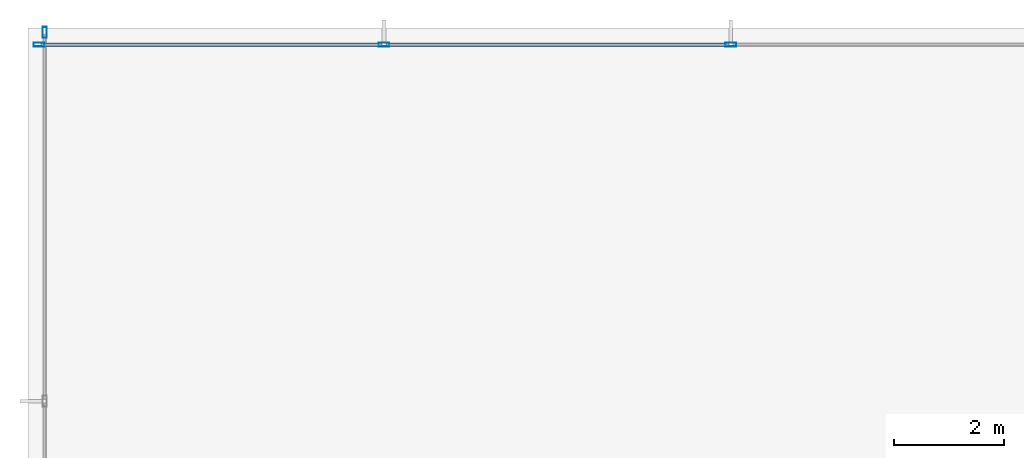
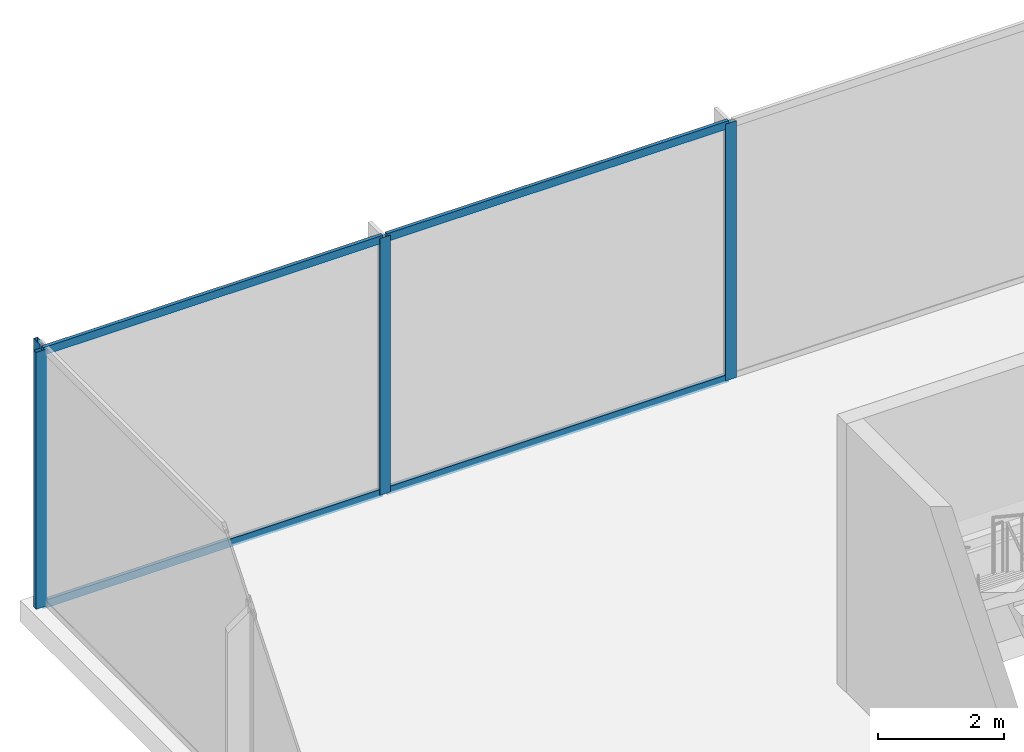
# One storey, part 24 of 43: 8 members, 2 elements without a shape of their own.
"""IFC4 building model written with IfcOpenShell, lengths in metres."""

from ifc_helpers import new_model, si_unit, direction, frame, origin, origin_2d, place, context, subcontext, project, spatial, hollow_rectangle, extrude, material, layer, layer_set, material_profile, profile_set, type_object, element, aggregate, save


model = new_model("IFC4")

# Units and contexts
model_context = context("Model", 3, precision=1e-05, world=origin(), true_north=direction((0.0, 1.0)))
body_context = subcontext(model_context, "Body", "Model", "MODEL_VIEW")
ifc_project = project(units=[si_unit("LENGTHUNIT", "METRE"), si_unit("AREAUNIT", "SQUARE_METRE"), si_unit("VOLUMEUNIT", "CUBIC_METRE"), si_unit("PLANEANGLEUNIT", "RADIAN"), si_unit("MASSUNIT", "GRAM", prefix="KILO")], contexts=[model_context])

# Site, building, storey
site_placement = place(None, origin())
site = spatial("IfcSite", under=ifc_project, at=site_placement, CompositionType="ELEMENT")
building_placement = place(site_placement, origin())
building = spatial("IfcBuilding", under=site, at=building_placement, Name="Orvanel Arch Residences", CompositionType="ELEMENT")
storey_placement = place(building_placement, frame((0.0, 0.0, 18.39990234375)))
storey = spatial("IfcBuildingStorey", under=building, at=storey_placement, Name="L04", CompositionType="ELEMENT", Elevation=18.39990234375)

# Curtain wall, members
ifc_material = material(Name="Bronze-anodised aluminium AA6063-T6", Category="aluminium")
ifc_layer = layer(ifc_material, 0.199951171875)
ifc_layer_set = layer_set([ifc_layer], Name="Bronze-anodised aluminium AA6063-T6")
curtain_wall_type = type_object("IfcCurtainWallType", Name="CW1-POD-SYS", PredefinedType="NOTDEFINED", material=ifc_layer_set)
curtain_wall_1_placement = place(storey_placement, origin())
curtain_wall_1 = element("IfcCurtainWall", 1, at=curtain_wall_1_placement, inside=storey, type_object=curtain_wall_type, Name="L04 CW1-POD-SYS Unitised Curtain Wall", PredefinedType="NOTDEFINED")
ifc_material_profile_1 = material_profile(ifc_material, hollow_rectangle(XDim=0.074951171875, YDim=0.199951171875, WallThickness=0.0048828125, at=origin_2d()), Name="ALU200x75x5")
ifc_profile_set_1 = profile_set([ifc_material_profile_1], Name="Bronze-anodised aluminium AA6063-T6")
member_type_1 = type_object("IfcMemberType", Name="MUL-200x75", PredefinedType="MULLION", material=ifc_profile_set_1)
member_1_placement = place(storey_placement, frame((14.0458984375, 54.25, 0.0), z_axis=(0.0, 0.0, 1.0), x_axis=(0.0, -1.0, 0.0)))
member_1 = element("IfcMember", 2, at=member_1_placement, type_object=member_type_1, Name="CW-S1 mullion 9", PredefinedType="MULLION", context=body_context, shape_type="SweptSolid", body=[
    extrude(hollow_rectangle(XDim=0.074951171875, YDim=0.199951171875, WallThickness=0.0048828125, at=origin_2d()), origin(), (0.0, 0.0, 1.0), 4.960205078125),
])
member_2_placement = place(storey_placement, frame((7.72802734375, 54.25, 0.0), z_axis=(0.0, 0.0, 1.0), x_axis=(0.0, -1.0, 0.0)))
member_2 = element("IfcMember", 3, at=member_2_placement, type_object=member_type_1, Name="CW-S1 mullion 10", PredefinedType="MULLION", context=body_context, shape_type="SweptSolid", body=[
    extrude(hollow_rectangle(XDim=0.074951171875, YDim=0.199951171875, WallThickness=0.0048828125, at=origin_2d()), origin(), (0.0, 0.0, 1.0), 4.960205078125),
])
member_3_placement = place(storey_placement, frame((1.447509765625, 54.25, 0.0), z_axis=(0.0, 0.0, 1.0), x_axis=(0.0, -1.0, 0.0)))
member_3 = element("IfcMember", 4, at=member_3_placement, type_object=member_type_1, Name="CW-S1 mullion 11", PredefinedType="MULLION", context=body_context, shape_type="SweptSolid", body=[
    extrude(hollow_rectangle(XDim=0.074951171875, YDim=0.199951171875, WallThickness=0.0048828125, at=origin_2d()), origin(), (0.0, 0.0, 1.0), 4.960205078125),
])

# Curtain wall, member
curtain_wall_2_placement = place(storey_placement, origin())
curtain_wall_2 = element("IfcCurtainWall", 5, at=curtain_wall_2_placement, inside=storey, type_object=curtain_wall_type, Name="L04 CW1-POD-SYS Unitised Curtain Wall", PredefinedType="NOTDEFINED")
member_4_placement = place(storey_placement, frame((1.550048828125, 54.472412109375, 0.0), z_axis=(0.0, 0.0, 1.0), x_axis=(1.0, 0.0, 0.0)))
member_4 = element("IfcMember", 6, at=member_4_placement, type_object=member_type_1, Name="CW-S1 mullion 1", PredefinedType="MULLION", context=body_context, shape_type="SweptSolid", body=[
    extrude(hollow_rectangle(XDim=0.074951171875, YDim=0.199951171875, WallThickness=0.0048828125, at=origin_2d()), origin(), (0.0, 0.0, 1.0), 4.960205078125),
])
aggregate(curtain_wall_2, [member_4])

# Member
ifc_material_profile_2 = material_profile(ifc_material, hollow_rectangle(XDim=0.06494140625, YDim=0.14990234375, WallThickness=0.00390625, at=origin_2d()), Name="ALU150x65x4")
ifc_profile_set_2 = profile_set([ifc_material_profile_2], Name="Bronze-anodised aluminium AA6063-T6")
member_type_2 = type_object("IfcMemberType", Name="TRN-150x65", PredefinedType="USERDEFINED", material=ifc_profile_set_2)
member_5_placement = place(storey_placement, frame((14.008544921875, 54.25, 0.03271484375), z_axis=(-1.0, 0.0, 0.0), x_axis=(0.0, -1.0, 0.0)))
member_5 = element("IfcMember", 7, at=member_5_placement, type_object=member_type_2, Name="CW-S1 transom 9.1", ObjectType="TRANSOM", PredefinedType="USERDEFINED", context=body_context, shape_type="SweptSolid", body=[
    extrude(hollow_rectangle(XDim=0.06494140625, YDim=0.14990234375, WallThickness=0.00390625, at=origin_2d()), origin(), (0.0, 0.0, 1.0), 6.2431640625),
])

member_6_placement = place(storey_placement, frame((14.008544921875, 54.25, 4.927490234375), z_axis=(-1.0, 0.0, 0.0), x_axis=(0.0, -1.0, 0.0)))
member_6 = element("IfcMember", 8, at=member_6_placement, type_object=member_type_2, Name="CW-S1 transom 9.2", ObjectType="TRANSOM", PredefinedType="USERDEFINED", context=body_context, shape_type="SweptSolid", body=[
    extrude(hollow_rectangle(XDim=0.06494140625, YDim=0.14990234375, WallThickness=0.00390625, at=origin_2d()), origin(), (0.0, 0.0, 1.0), 6.2431640625),
])

member_7_placement = place(storey_placement, frame((7.6904296875, 54.25, 0.03271484375), z_axis=(-1.0, 0.0, 0.0), x_axis=(0.0, -1.0, 0.0)))
member_7 = element("IfcMember", 9, at=member_7_placement, type_object=member_type_2, Name="CW-S1 transom 10.1", ObjectType="TRANSOM", PredefinedType="USERDEFINED", context=body_context, shape_type="SweptSolid", body=[
    extrude(hollow_rectangle(XDim=0.06494140625, YDim=0.14990234375, WallThickness=0.00390625, at=origin_2d()), origin(), (0.0, 0.0, 1.0), 6.205322265625),
])

member_8_placement = place(storey_placement, frame((7.6904296875, 54.25, 4.927490234375), z_axis=(-1.0, 0.0, 0.0), x_axis=(0.0, -1.0, 0.0)))
member_8 = element("IfcMember", 10, at=member_8_placement, type_object=member_type_2, Name="CW-S1 transom 10.2", ObjectType="TRANSOM", PredefinedType="USERDEFINED", context=body_context, shape_type="SweptSolid", body=[
    extrude(hollow_rectangle(XDim=0.06494140625, YDim=0.14990234375, WallThickness=0.00390625, at=origin_2d()), origin(), (0.0, 0.0, 1.0), 6.205322265625),
])

aggregate(curtain_wall_1, [member_1, member_2, member_3, member_5, member_6, member_7, member_8])

save(model, "model.ifc")
